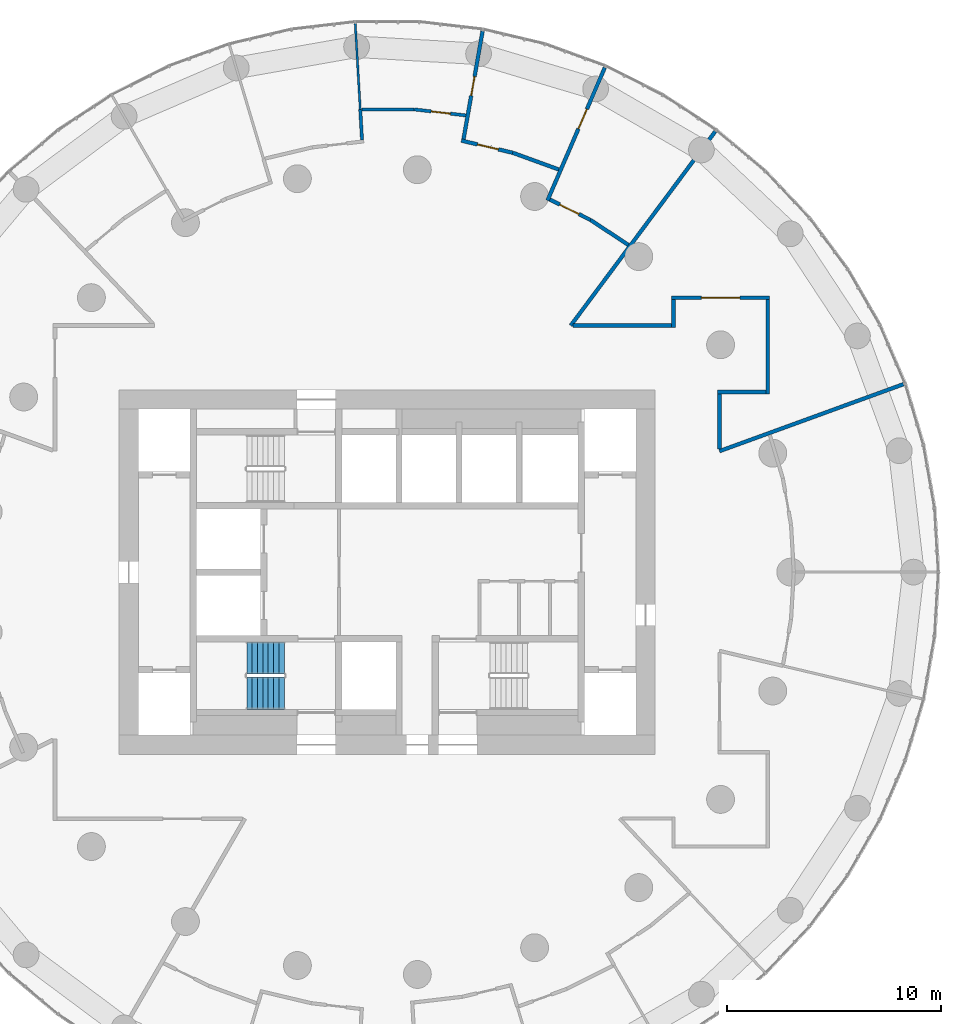
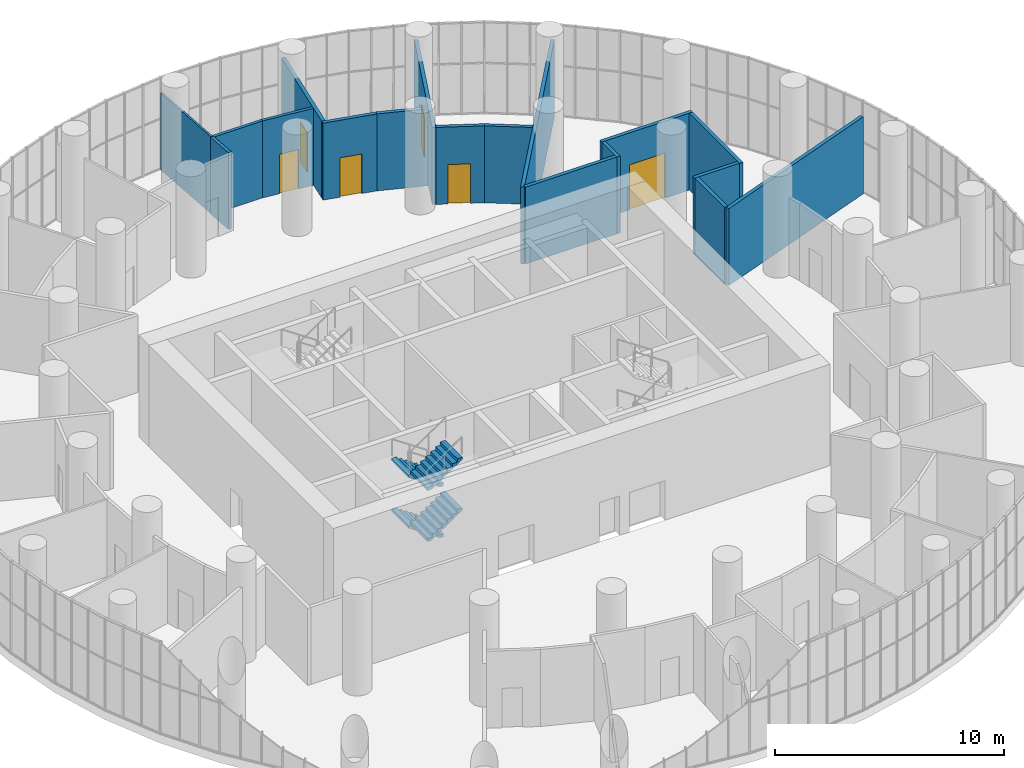
# One storey, part 19 of 21: 18 walls, 6 doors, 4 stair flights, 6 openings, 1 element without a shape of its own.
"""IFC4 building model written with IfcOpenShell, lengths in metres."""

from ifc_helpers import new_model, si_unit, direction, frame, frame_2d, origin, place, context, subcontext, project, spatial, polyline, rectangle, outline, extrude, material, layer, layer_set, type_object, element, fill, aggregate, save


model = new_model("IFC4")

# Units and contexts
model_context = context("Model", 3, precision=1e-05, world=origin(), true_north=direction((0.0, 1.0)))
body_context = subcontext(model_context, "Body", "Model", "MODEL_VIEW")
ifc_project = project(units=[si_unit("LENGTHUNIT", "METRE"), si_unit("AREAUNIT", "SQUARE_METRE"), si_unit("VOLUMEUNIT", "CUBIC_METRE"), si_unit("PLANEANGLEUNIT", "RADIAN"), si_unit("MASSUNIT", "GRAM", prefix="KILO")], contexts=[model_context])

# Site, building, storey
site_placement = place(None, origin())
site = spatial("IfcSite", under=ifc_project, at=site_placement, CompositionType="ELEMENT")
building_placement = place(site_placement, origin())
building = spatial("IfcBuilding", under=site, at=building_placement, Name="Tracery Tower", CompositionType="ELEMENT")
storey_placement = place(building_placement, frame((0.0, 0.0, 219.60009765625)))
storey = spatial("IfcBuildingStorey", under=building, at=storey_placement, Name="L57", CompositionType="ELEMENT", Elevation=219.60009765625)

# Wall, opening, door
ifc_material_1 = material(Name="Plasterboard on steel studs", Category="steel")
ifc_layer_1 = layer(ifc_material_1, 0.175048828125)
ifc_layer_set_1 = layer_set([ifc_layer_1], Name="Compartment partition 175")
wall_type_1 = type_object("IfcWallType", Name="Compartment partition 175", PredefinedType="PARTITIONING", material=ifc_layer_set_1)
wall_1_placement = place(storey_placement, frame((3.560791015625, 20.194580078125, 0.0), z_axis=(0.0, 0.0, 1.0), x_axis=(0.173668392781, 0.984804188328, 0.0)))
wall_1 = element("IfcWall", 1, at=wall_1_placement, inside=storey, type_object=wall_type_1, Name="Compartment partition 175", PredefinedType="PARTITIONING", context=body_context, shape_type="SweptSolid", body=[
    extrude(rectangle(XDim=5.121337890625, YDim=0.175048828125, at=frame_2d((2.560546875, 0.0))), origin(), (0.0, 0.0, 1.0), 4.099853515625),
])
opening_1_placement = place(wall_1_placement, frame((2.06787109375, 0.0, 0.0)))
opening_1 = element("IfcOpeningElement", 2, at=opening_1_placement, cuts=wall_1, Name="Opening SB-L57-09", PredefinedType="OPENING", context=body_context, shape_type="SweptSolid", body=[
    extrude(rectangle(XDim=0.89990234375, YDim=2.10009765625, at=frame_2d((0.449951171875, 1.050048828125))), frame((0.0, 0.08740234375, 0.0), z_axis=(0.0, -1.0, 0.0), x_axis=(1.0, 0.0, 0.0)), (0.0, 0.0, 1.0), 0.175048828125),
])
ifc_material_2 = material(Name="Steel fire door", Category="steel")
door_type_1 = type_object("IfcDoorType", Name="Store door 900", OperationType="NOTDEFINED", PredefinedType="DOOR", material=ifc_material_2)
door_1_placement = place(opening_1_placement, origin())
door_1 = element("IfcDoor", 3, at=door_1_placement, inside=storey, type_object=door_type_1, Name="Store door 900", OperationType="SINGLE_SWING_RIGHT", OverallHeight=2.10009765625, OverallWidth=0.89990234375, PredefinedType="DOOR", context=body_context, shape_type="SweptSolid", body=[
    extrude(rectangle(XDim=0.89990234375, YDim=2.10009765625, at=frame_2d((0.449951171875, 1.050048828125))), frame((0.0, 0.02490234375, 0.0), z_axis=(0.0, -1.0, 0.0), x_axis=(1.0, 0.0, 0.0)), (0.0, 0.0, 1.0), 0.050048828125),
])
fill(opening_1, door_1)

wall_2_placement = place(storey_placement, frame((3.460693359375, 20.128662109375, 0.0), z_axis=(0.0, 0.0, 1.0), x_axis=(0.973033447251, -0.230664064238, 0.0)))
wall_2 = element("IfcWall", 4, at=wall_2_placement, inside=storey, type_object=wall_type_1, Name="Compartment partition 175", PredefinedType="PARTITIONING", context=body_context, shape_type="SweptSolid", body=[
    extrude(rectangle(XDim=2.4619140625, YDim=0.175048828125, at=frame_2d((1.23095703125, 0.0))), origin(), (0.0, 0.0, 1.0), 4.099853515625),
])
opening_2_placement = place(wall_2_placement, frame((0.774658203125, 0.0, 0.0)))
opening_2 = element("IfcOpeningElement", 5, at=opening_2_placement, cuts=wall_2, Name="Opening SB-L57-03", PredefinedType="OPENING", context=body_context, shape_type="SweptSolid", body=[
    extrude(rectangle(XDim=1.0, YDim=2.10009765625, at=frame_2d((0.5, 1.050048828125))), frame((0.0, 0.08740234375, 0.0), z_axis=(0.0, -1.0, 0.0), x_axis=(1.0, 0.0, 0.0)), (0.0, 0.0, 1.0), 0.175048828125),
])
ifc_material_3 = material(Name="Steel fire door", Category="steel")
door_type_2 = type_object("IfcDoorType", Name="Kitchen door 1000", OperationType="NOTDEFINED", PredefinedType="DOOR", material=ifc_material_3)
door_2_placement = place(opening_2_placement, origin())
door_2 = element("IfcDoor", 6, at=door_2_placement, inside=storey, type_object=door_type_2, Name="Kitchen door 1000", OperationType="SINGLE_SWING_RIGHT", OverallHeight=2.10009765625, OverallWidth=1.0, PredefinedType="DOOR", context=body_context, shape_type="SweptSolid", body=[
    extrude(rectangle(XDim=1.0, YDim=2.10009765625, at=frame_2d((0.5, 1.050048828125))), frame((0.0, 0.02490234375, 0.0), z_axis=(0.0, -1.0, 0.0), x_axis=(1.0, 0.0, 0.0)), (0.0, 0.0, 1.0), 0.050048828125),
])
fill(opening_2, door_2)

# Wall
wall_3_placement = place(storey_placement, frame((8.002685546875, 18.779541015625, 0.0), z_axis=(0.0, 0.0, 1.0), x_axis=(-0.939693524196, 0.342017661218, 0.0)))
element("IfcWall", 7, at=wall_3_placement, inside=storey, type_object=wall_type_1, Name="Compartment partition 175", PredefinedType="PARTITIONING", context=body_context, shape_type="SweptSolid", body=[
    extrude(rectangle(XDim=2.2841796875, YDim=0.175048828125, at=frame_2d((1.14208984375, 0.0))), origin(), (0.0, 0.0, 1.0), 4.099853515625),
])

# Wall, opening, door
wall_4_placement = place(storey_placement, frame((7.59033203125, 17.375732421875, 0.0), z_axis=(0.0, 0.0, 1.0), x_axis=(0.893665134583, -0.448734472969, 0.0)))
wall_4 = element("IfcWall", 8, at=wall_4_placement, inside=storey, type_object=wall_type_1, Name="Compartment partition 175", PredefinedType="PARTITIONING", context=body_context, shape_type="SweptSolid", body=[
    extrude(rectangle(XDim=2.1181640625, YDim=0.175048828125, at=frame_2d((1.05908203125, 0.0))), origin(), (0.0, 0.0, 1.0), 4.099853515625),
])
opening_3_placement = place(wall_4_placement, frame((0.515380859375, 0.0, 0.0)))
opening_3 = element("IfcOpeningElement", 9, at=opening_3_placement, cuts=wall_4, Name="Opening SB-L57-02", PredefinedType="OPENING", context=body_context, shape_type="SweptSolid", body=[
    extrude(rectangle(XDim=1.0, YDim=2.10009765625, at=frame_2d((0.5, 1.050048828125))), frame((0.0, 0.08740234375, 0.0), z_axis=(0.0, -1.0, 0.0), x_axis=(1.0, 0.0, 0.0)), (0.0, 0.0, 1.0), 0.175048828125),
])
door_3_placement = place(opening_3_placement, origin())
door_3 = element("IfcDoor", 10, at=door_3_placement, inside=storey, type_object=door_type_2, Name="Kitchen door 1000", OperationType="SINGLE_SWING_RIGHT", OverallHeight=2.10009765625, OverallWidth=1.0, PredefinedType="DOOR", context=body_context, shape_type="SweptSolid", body=[
    extrude(rectangle(XDim=1.0, YDim=2.10009765625, at=frame_2d((0.5, 1.050048828125))), frame((0.0, 0.02490234375, 0.0), z_axis=(0.0, -1.0, 0.0), x_axis=(1.0, 0.0, 0.0)), (0.0, 0.0, 1.0), 0.050048828125),
])
fill(opening_3, door_3)

wall_5_placement = place(storey_placement, frame((10.150390625, 23.531494140625, 0.0), z_axis=(0.0, 0.0, 1.0), x_axis=(-0.396088121218, -0.918212502763, 0.0)))
wall_5 = element("IfcWall", 11, at=wall_5_placement, inside=storey, type_object=wall_type_1, Name="Compartment partition 175", PredefinedType="PARTITIONING", context=body_context, shape_type="SweptSolid", body=[
    extrude(rectangle(XDim=6.748779296875, YDim=0.175048828125, at=frame_2d((3.37451171875, 0.0))), origin(), (0.0, 0.0, 1.0), 4.099853515625),
])
opening_4_placement = place(wall_5_placement, frame((2.1044921875, 0.0, 0.0)))
opening_4 = element("IfcOpeningElement", 12, at=opening_4_placement, cuts=wall_5, Name="Opening SB-L57-08", PredefinedType="OPENING", context=body_context, shape_type="SweptSolid", body=[
    extrude(rectangle(XDim=1.0, YDim=2.10009765625, at=frame_2d((0.5, 1.050048828125))), frame((0.0, 0.08740234375, 0.0), z_axis=(0.0, -1.0, 0.0), x_axis=(1.0, 0.0, 0.0)), (0.0, 0.0, 1.0), 0.175048828125),
])
door_4_placement = place(opening_4_placement, origin())
door_4 = element("IfcDoor", 13, at=door_4_placement, inside=storey, type_object=door_type_2, Name="Kitchen door 1000", OperationType="SINGLE_SWING_LEFT", OverallHeight=2.10009765625, OverallWidth=1.0, PredefinedType="DOOR", context=body_context, shape_type="SweptSolid", body=[
    extrude(rectangle(XDim=1.0, YDim=2.10009765625, at=frame_2d((0.5, 1.050048828125))), frame((0.0, 0.02490234375, 0.0), z_axis=(0.0, -1.0, 0.0), x_axis=(1.0, 0.0, 0.0)), (0.0, 0.0, 1.0), 0.050048828125),
])
fill(opening_4, door_4)

# Walls
wall_6_placement = place(storey_placement, frame((11.25048828125, 15.2626953125, 0.0), z_axis=(0.0, 0.0, 1.0), x_axis=(-0.835443576746, 0.54957622772, 0.0)))
element("IfcWall", 14, at=wall_6_placement, inside=storey, type_object=wall_type_1, Name="Compartment partition 175", PredefinedType="PARTITIONING", context=body_context, shape_type="SweptSolid", body=[
    extrude(rectangle(XDim=2.115478515625, YDim=0.175048828125, at=frame_2d((1.0576171875, 0.0))), origin(), (0.0, 0.0, 1.0), 4.099853515625),
])
wall_7_placement = place(storey_placement, frame((13.26416015625, 11.5, 0.0), z_axis=(0.0, 0.0, 1.0), x_axis=(-1.0, 0.0, 0.0)))
element("IfcWall", 15, at=wall_7_placement, inside=storey, type_object=wall_type_1, Name="Compartment partition 175", PredefinedType="PARTITIONING", context=body_context, shape_type="SweptSolid", body=[
    extrude(rectangle(XDim=4.59375, YDim=0.175048828125, at=frame_2d((2.296875, 0.0))), origin(), (0.0, 0.0, 1.0), 4.099853515625),
])
wall_8_placement = place(storey_placement, frame((13.3515625, 12.71533203125, 0.0), z_axis=(0.0, 0.0, 1.0), x_axis=(0.0, -1.0, 0.0)))
element("IfcWall", 16, at=wall_8_placement, inside=storey, type_object=wall_type_1, Name="Compartment partition 175", PredefinedType="PARTITIONING", context=body_context, shape_type="SweptSolid", body=[
    extrude(rectangle(XDim=1.302734375, YDim=0.175048828125, at=frame_2d((0.6513671875, 0.0))), origin(), (0.0, 0.0, 1.0), 4.099853515625),
])
wall_9_placement = place(storey_placement, frame((15.3037109375, 20.556396484375, 0.0), z_axis=(0.0, 0.0, 1.0), x_axis=(-0.597169661875, -0.802114951199, 0.0)))
element("IfcWall", 17, at=wall_9_placement, inside=storey, type_object=wall_type_1, Name="Compartment partition 175", PredefinedType="PARTITIONING", context=body_context, shape_type="SweptSolid", body=[
    extrude(rectangle(XDim=11.29052734375, YDim=0.175048828125, at=frame_2d((5.645263671875, 0.0))), origin(), (0.0, 0.0, 1.0), 4.099853515625),
])
wall_10_placement = place(storey_placement, frame((15.5, 5.734619140625, 0.0), z_axis=(0.0, 0.0, 1.0), x_axis=(0.0, 1.0, 0.0)))
element("IfcWall", 18, at=wall_10_placement, inside=storey, type_object=wall_type_1, Name="Compartment partition 175", PredefinedType="PARTITIONING", context=body_context, shape_type="SweptSolid", body=[
    extrude(rectangle(XDim=2.580810546875, YDim=0.175048828125, at=frame_2d((1.29052734375, 0.0))), origin(), (0.0, 0.0, 1.0), 4.099853515625),
])
wall_11_placement = place(storey_placement, frame((15.41259765625, 8.40283203125, 0.0), z_axis=(0.0, 0.0, 1.0), x_axis=(1.0, 0.0, 0.0)))
element("IfcWall", 19, at=wall_11_placement, inside=storey, type_object=wall_type_1, Name="Compartment partition 175", PredefinedType="PARTITIONING", context=body_context, shape_type="SweptSolid", body=[
    extrude(rectangle(XDim=2.25146484375, YDim=0.175048828125, at=frame_2d((1.125732421875, 0.0))), origin(), (0.0, 0.0, 1.0), 4.099853515625),
])
wall_12_placement = place(storey_placement, frame((17.751708984375, 8.3154296875, 0.0), z_axis=(0.0, 0.0, 1.0), x_axis=(0.0, 1.0, 0.0)))
element("IfcWall", 20, at=wall_12_placement, inside=storey, type_object=wall_type_1, Name="Compartment partition 175", PredefinedType="PARTITIONING", context=body_context, shape_type="SweptSolid", body=[
    extrude(rectangle(XDim=4.39990234375, YDim=0.175048828125, at=frame_2d((2.199951171875, 0.0))), origin(), (0.0, 0.0, 1.0), 4.099853515625),
])

# Wall, opening, door
wall_13_placement = place(storey_placement, frame((13.26416015625, 12.802978515625, 0.0), z_axis=(0.0, 0.0, 1.0), x_axis=(1.0, 0.0, 0.0)))
wall_13 = element("IfcWall", 21, at=wall_13_placement, inside=storey, type_object=wall_type_1, Name="Compartment partition 175", PredefinedType="PARTITIONING", context=body_context, shape_type="SweptSolid", body=[
    extrude(rectangle(XDim=4.574951171875, YDim=0.175048828125, at=frame_2d((2.28759765625, 0.0))), origin(), (0.0, 0.0, 1.0), 4.099853515625),
])
opening_5_placement = place(wall_13_placement, frame((1.387451171875, 0.0, 0.0)))
opening_5 = element("IfcOpeningElement", 22, at=opening_5_placement, cuts=wall_13, Name="Opening SB-L57-01", PredefinedType="OPENING", context=body_context, shape_type="SweptSolid", body=[
    extrude(rectangle(XDim=1.800048828125, YDim=2.39990234375, at=frame_2d((0.89990234375, 1.199951171875))), frame((0.0, 0.08740234375, 0.0), z_axis=(0.0, -1.0, 0.0), x_axis=(1.0, 0.0, 0.0)), (0.0, 0.0, 1.0), 0.175048828125),
])
ifc_material_4 = material(Name="Glazed aluminium door", Category="aluminium")
door_type_3 = type_object("IfcDoorType", Name="Hall double door 1800", OperationType="DOUBLE_DOOR_SINGLE_SWING", PredefinedType="DOOR", material=ifc_material_4)
door_5_placement = place(opening_5_placement, origin())
door_5 = element("IfcDoor", 23, at=door_5_placement, inside=storey, type_object=door_type_3, Name="Hall double door 1800", OperationType="DOUBLE_DOOR_SINGLE_SWING", OverallHeight=2.39990234375, OverallWidth=1.800048828125, PredefinedType="DOOR", context=body_context, shape_type="SweptSolid", body=[
    extrude(rectangle(XDim=1.800048828125, YDim=2.39990234375, at=frame_2d((0.89990234375, 1.199951171875))), frame((0.0, 0.02490234375, 0.0), z_axis=(0.0, -1.0, 0.0), x_axis=(1.0, 0.0, 0.0)), (0.0, 0.0, 1.0), 0.050048828125),
])
fill(opening_5, door_5)

# Walls
wall_14_placement = place(storey_placement, frame((24.081787109375, 8.76513671875, 0.0), z_axis=(0.0, 0.0, 1.0), x_axis=(-0.939691913717, -0.342022085975, 0.0)))
element("IfcWall", 24, at=wall_14_placement, inside=storey, type_object=wall_type_1, Name="Compartment partition 175", PredefinedType="PARTITIONING", context=body_context, shape_type="SweptSolid", body=[
    extrude(rectangle(XDim=9.132568359375, YDim=0.175048828125, at=frame_2d((4.56640625, 0.0))), origin(), (0.0, 0.0, 1.0), 4.099853515625),
])
ifc_material_5 = material(Name="Plasterboard on steel studs", Category="steel")
ifc_layer_2 = layer(ifc_material_5, 0.14990234375)
ifc_layer_set_2 = layer_set([ifc_layer_2], Name="Corridor partition 150")
wall_type_2 = type_object("IfcWallType", Name="Corridor partition 150", PredefinedType="PARTITIONING", material=ifc_layer_set_2)
wall_15_placement = place(storey_placement, frame((-1.257080078125, 21.583984375, 0.0), z_axis=(0.0, 0.0, 1.0), x_axis=(0.057980077773, -0.998317740292, 0.0)))
element("IfcWall", 25, at=wall_15_placement, inside=storey, type_object=wall_type_2, Name="Corridor partition 150", PredefinedType="PARTITIONING", context=body_context, shape_type="SweptSolid", body=[
    extrude(rectangle(XDim=1.427490234375, YDim=0.14990234375, at=frame_2d((0.7138671875, 0.0))), origin(), (0.0, 0.0, 1.0), 4.099853515625),
])
wall_16_placement = place(storey_placement, frame((1.257080078125, 21.583984375, 0.0), z_axis=(0.0, 0.0, 1.0), x_axis=(-1.0, 0.0, 0.0)))
element("IfcWall", 26, at=wall_16_placement, inside=storey, type_object=wall_type_2, Name="Corridor partition 150", PredefinedType="PARTITIONING", context=body_context, shape_type="SweptSolid", body=[
    extrude(rectangle(XDim=2.43896484375, YDim=0.14990234375, at=frame_2d((1.219482421875, 0.0))), origin(), (0.0, 0.0, 1.0), 4.099853515625),
])

# Wall, opening, door
wall_17_placement = place(storey_placement, frame((1.257080078125, 21.583984375, 0.0), z_axis=(0.0, 0.0, 1.0), x_axis=(0.993237617508, -0.116099247059, 0.0)))
wall_17 = element("IfcWall", 27, at=wall_17_placement, inside=storey, type_object=wall_type_2, Name="Corridor partition 150", PredefinedType="PARTITIONING", context=body_context, shape_type="SweptSolid", body=[
    extrude(rectangle(XDim=2.424560546875, YDim=0.14990234375, at=frame_2d((1.21240234375, 0.0))), origin(), (0.0, 0.0, 1.0), 4.099853515625),
])
opening_6_placement = place(wall_17_placement, frame((0.80712890625, 0.0, 0.0)))
opening_6 = element("IfcOpeningElement", 28, at=opening_6_placement, cuts=wall_17, Name="Opening SB-L57-04", PredefinedType="OPENING", context=body_context, shape_type="SweptSolid", body=[
    extrude(rectangle(XDim=0.89990234375, YDim=2.10009765625, at=frame_2d((0.449951171875, 1.050048828125))), frame((0.0, 0.074951171875, 0.0), z_axis=(0.0, -1.0, 0.0), x_axis=(1.0, 0.0, 0.0)), (0.0, 0.0, 1.0), 0.14990234375),
])
door_6_placement = place(opening_6_placement, origin())
door_6 = element("IfcDoor", 29, at=door_6_placement, inside=storey, type_object=door_type_1, Name="Store door 900", OperationType="SINGLE_SWING_RIGHT", OverallHeight=2.10009765625, OverallWidth=0.89990234375, PredefinedType="DOOR", context=body_context, shape_type="SweptSolid", body=[
    extrude(rectangle(XDim=0.89990234375, YDim=2.10009765625, at=frame_2d((0.449951171875, 1.050048828125))), frame((0.0, 0.02490234375, 0.0), z_axis=(0.0, -1.0, 0.0), x_axis=(1.0, 0.0, 0.0)), (0.0, 0.0, 1.0), 0.050048828125),
])
fill(opening_6, door_6)

# Wall
ifc_material_6 = material(Name="Plasterboard on steel studs", Category="steel")
ifc_layer_3 = layer(ifc_material_6, 0.10009765625)
ifc_layer_set_3 = layer_set([ifc_layer_3], Name="Stud partition 100")
wall_type_3 = type_object("IfcWallType", Name="Stud partition 100", PredefinedType="PARTITIONING", material=ifc_layer_set_3)
wall_18_placement = place(storey_placement, frame((-1.489990234375, 25.583984375, 0.0), z_axis=(0.0, 0.0, 1.0), x_axis=(0.058129080683, -0.998309075376, 0.0)))
element("IfcWall", 30, at=wall_18_placement, inside=storey, type_object=wall_type_3, Name="Stud partition 100", PredefinedType="PARTITIONING", context=body_context, shape_type="SweptSolid", body=[
    extrude(rectangle(XDim=4.0068359375, YDim=0.10009765625, at=frame_2d((2.00341796875, 0.0))), origin(), (0.0, 0.0, 1.0), 4.099853515625),
])

# Stair, stair flights
ifc_material_7 = material(Name="Concrete C32/40", Category="concrete")
stair_type = type_object("IfcStairType", Name="Core stair 32 risers", PredefinedType="HALF_TURN_STAIR", material=ifc_material_7)
stair_placement = place(storey_placement, origin())
stair = element("IfcStair", 31, at=stair_placement, inside=storey, type_object=stair_type, Name="L57 stair ST1", PredefinedType="HALF_TURN_STAIR")
ifc_material_8 = material(Name="Concrete C32/40", Category="concrete")
stair_flight_type = type_object("IfcStairFlightType", Name="Core stair flight 8 risers", PredefinedType="STRAIGHT", material=ifc_material_8)
stair_flight_1_placement = place(storey_placement, frame((-4.800048828125, -4.0, 0.0), z_axis=(0.0, 0.0, 1.0), x_axis=(-1.0, 0.0, 0.0)))
stair_flight_1 = element("IfcStairFlight", 32, at=stair_flight_1_placement, type_object=stair_flight_type, Name="ST1 flight 1", NumberOfRisers=8, NumberOfTreads=7, PredefinedType="STRAIGHT", RiserHeight=0.16875, TreadLength=0.25, context=body_context, shape_type="SweptSolid", body=[
    extrude(outline(polyline([(0.0, 0.0), (0.0, 0.002685546875), (0.0, 0.005615234375), (0.0, 0.00830078125), (0.0, 0.010986328125), (0.0, 0.013916015625), (0.0, 0.0166015625), (0.0, 0.019287109375), (0.0, 0.022216796875), (0.0, 0.02490234375), (0.0, 0.027587890625), (0.0, 0.030517578125), (0.0, 0.033203125), (0.0, 0.035888671875), (0.0, 0.038818359375), (0.0, 0.04150390625), (0.0, 0.044189453125), (0.0, 0.047119140625), (0.0, 0.0498046875), (0.0, 0.052490234375), (0.0, 0.055419921875), (0.0, 0.05810546875), (0.0, 0.060791015625), (0.0, 0.063720703125), (0.0, 0.06640625), (0.0, 0.069091796875), (0.0, 0.072021484375), (0.0, 0.07470703125), (0.0, 0.077392578125), (0.0, 0.080322265625), (0.0, 0.0830078125), (0.0, 0.085693359375), (0.0, 0.088623046875), (0.0, 0.09130859375), (0.0, 0.093994140625), (0.0, 0.096923828125), (0.0, 0.099609375), (0.0, 0.102294921875), (0.0, 0.105224609375), (0.0, 0.10791015625), (0.0, 0.110595703125), (0.0, 0.113525390625), (0.0, 0.1162109375), (0.0, 0.118896484375), (0.0, 0.121826171875), (0.0, 0.12451171875), (0.0, 0.127197265625), (0.0, 0.130126953125), (0.0, 0.1328125), (0.0, 0.135498046875), (0.0, 0.138427734375), (0.0, 0.14111328125), (0.0, 0.143798828125), (0.0, 0.146728515625), (0.0, 0.1494140625), (0.0, 0.152099609375), (0.0, 0.155029296875), (0.0, 0.15771484375), (0.0, 0.160400390625), (0.0, 0.163330078125), (0.0, 0.166015625), (0.0, 0.168701171875), (0.25, 0.168701171875), (0.25, 0.33740234375), (0.5, 0.33740234375), (0.5, 0.50634765625), (0.75, 0.50634765625), (0.75, 0.675048828125), (1.0, 0.675048828125), (1.0, 0.84375), (1.25, 0.84375), (1.25, 1.012451171875), (1.5, 1.012451171875), (1.5, 1.18115234375), (1.75, 1.18115234375), (1.75, 1.17919921875), (1.75, 1.17724609375), (1.75, 1.17529296875), (1.75, 1.17333984375), (1.75, 1.17138671875), (1.75, 1.16943359375), (1.75, 1.16748046875), (1.75, 1.16552734375), (1.75, 1.163330078125), (1.75, 1.161376953125), (1.75, 1.159423828125), (1.75, 1.157470703125), (1.75, 1.155517578125), (1.75, 1.153564453125), (1.75, 1.151611328125), (1.75, 1.149658203125), (1.75, 1.147705078125), (1.75, 1.1455078125), (1.75, 1.1435546875), (1.75, 1.1416015625), (1.75, 1.1396484375), (1.75, 1.1376953125), (1.75, 1.1357421875), (1.75, 1.1337890625), (1.75, 1.1318359375), (1.75, 1.1298828125), (1.75, 1.127685546875), (1.75, 1.125732421875), (1.75, 1.123779296875), (1.75, 1.121826171875), (1.75, 1.119873046875), (1.75, 1.117919921875), (1.75, 1.115966796875), (1.75, 1.114013671875), (1.75, 1.112060546875), (1.75, 1.10986328125), (1.75, 1.10791015625), (1.75, 1.10595703125), (1.75, 1.10400390625), (1.75, 1.10205078125), (1.75, 1.10009765625), (1.75, 1.09814453125), (1.75, 1.09619140625), (1.75, 1.09423828125), (1.75, 1.092041015625), (1.75, 1.090087890625), (1.75, 1.088134765625), (1.75, 1.086181640625), (1.75, 1.084228515625), (1.75, 1.082275390625), (1.75, 1.080322265625), (1.75, 1.078369140625), (1.75, 1.076416015625), (1.75, 1.074462890625), (1.75, 1.072265625), (1.75, 1.0703125), (1.75, 1.068359375), (1.75, 1.06640625), (1.75, 1.064453125), (1.75, 1.0625), (1.75, 1.060546875), (0.178955078125, 0.0), (0.0, 0.0)])), frame((0.0, 0.75, 0.0), z_axis=(0.0, -1.0, 0.0), x_axis=(1.0, 0.0, 0.0)), (0.0, 0.0, 1.0), 1.5),
])
stair_flight_2_placement = place(storey_placement, frame((-6.550048828125, -5.64990234375, 1.349853515625), z_axis=(0.0, 0.0, 1.0), x_axis=(1.0, 0.0, 0.0)))
stair_flight_2 = element("IfcStairFlight", 33, at=stair_flight_2_placement, type_object=stair_flight_type, Name="ST1 flight 2", NumberOfRisers=8, NumberOfTreads=7, PredefinedType="STRAIGHT", RiserHeight=0.16875, TreadLength=0.25, context=body_context, shape_type="SweptSolid", body=[
    extrude(outline(polyline([(0.0, 0.0), (0.0, 0.002685546875), (0.0, 0.005615234375), (0.0, 0.00830078125), (0.0, 0.010986328125), (0.0, 0.013916015625), (0.0, 0.0166015625), (0.0, 0.019287109375), (0.0, 0.022216796875), (0.0, 0.02490234375), (0.0, 0.027587890625), (0.0, 0.030517578125), (0.0, 0.033203125), (0.0, 0.035888671875), (0.0, 0.038818359375), (0.0, 0.04150390625), (0.0, 0.044189453125), (0.0, 0.047119140625), (0.0, 0.0498046875), (0.0, 0.052490234375), (0.0, 0.055419921875), (0.0, 0.05810546875), (0.0, 0.060791015625), (0.0, 0.063720703125), (0.0, 0.06640625), (0.0, 0.069091796875), (0.0, 0.072021484375), (0.0, 0.07470703125), (0.0, 0.077392578125), (0.0, 0.080322265625), (0.0, 0.0830078125), (0.0, 0.085693359375), (0.0, 0.088623046875), (0.0, 0.09130859375), (0.0, 0.093994140625), (0.0, 0.096923828125), (0.0, 0.099609375), (0.0, 0.102294921875), (0.0, 0.105224609375), (0.0, 0.10791015625), (0.0, 0.110595703125), (0.0, 0.113525390625), (0.0, 0.1162109375), (0.0, 0.118896484375), (0.0, 0.121826171875), (0.0, 0.12451171875), (0.0, 0.127197265625), (0.0, 0.130126953125), (0.0, 0.1328125), (0.0, 0.135498046875), (0.0, 0.138427734375), (0.0, 0.14111328125), (0.0, 0.143798828125), (0.0, 0.146728515625), (0.0, 0.1494140625), (0.0, 0.152099609375), (0.0, 0.155029296875), (0.0, 0.15771484375), (0.0, 0.160400390625), (0.0, 0.163330078125), (0.0, 0.166015625), (0.0, 0.168701171875), (0.25, 0.168701171875), (0.25, 0.33740234375), (0.5, 0.33740234375), (0.5, 0.50634765625), (0.75, 0.50634765625), (0.75, 0.675048828125), (1.0, 0.675048828125), (1.0, 0.84375), (1.25, 0.84375), (1.25, 1.012451171875), (1.5, 1.012451171875), (1.5, 1.18115234375), (1.75, 1.18115234375), (1.75, 1.17919921875), (1.75, 1.17724609375), (1.75, 1.17529296875), (1.75, 1.17333984375), (1.75, 1.17138671875), (1.75, 1.16943359375), (1.75, 1.16748046875), (1.75, 1.16552734375), (1.75, 1.163330078125), (1.75, 1.161376953125), (1.75, 1.159423828125), (1.75, 1.157470703125), (1.75, 1.155517578125), (1.75, 1.153564453125), (1.75, 1.151611328125), (1.75, 1.149658203125), (1.75, 1.147705078125), (1.75, 1.1455078125), (1.75, 1.1435546875), (1.75, 1.1416015625), (1.75, 1.1396484375), (1.75, 1.1376953125), (1.75, 1.1357421875), (1.75, 1.1337890625), (1.75, 1.1318359375), (1.75, 1.1298828125), (1.75, 1.127685546875), (1.75, 1.125732421875), (1.75, 1.123779296875), (1.75, 1.121826171875), (1.75, 1.119873046875), (1.75, 1.117919921875), (1.75, 1.115966796875), (1.75, 1.114013671875), (1.75, 1.112060546875), (1.75, 1.10986328125), (1.75, 1.10791015625), (1.75, 1.10595703125), (1.75, 1.10400390625), (1.75, 1.10205078125), (1.75, 1.10009765625), (1.75, 1.09814453125), (1.75, 1.09619140625), (1.75, 1.09423828125), (1.75, 1.092041015625), (1.75, 1.090087890625), (1.75, 1.088134765625), (1.75, 1.086181640625), (1.75, 1.084228515625), (1.75, 1.082275390625), (1.75, 1.080322265625), (1.75, 1.078369140625), (1.75, 1.076416015625), (1.75, 1.074462890625), (1.75, 1.072265625), (1.75, 1.0703125), (1.75, 1.068359375), (1.75, 1.06640625), (1.75, 1.064453125), (1.75, 1.0625), (1.75, 1.060546875), (0.178955078125, 0.0), (0.0, 0.0)])), frame((0.0, 0.75, 0.0), z_axis=(0.0, -1.0, 0.0), x_axis=(1.0, 0.0, 0.0)), (0.0, 0.0, 1.0), 1.5),
])
stair_flight_3_placement = place(storey_placement, frame((-4.800048828125, -4.0, 2.699951171875), z_axis=(0.0, 0.0, 1.0), x_axis=(-1.0, 0.0, 0.0)))
stair_flight_3 = element("IfcStairFlight", 34, at=stair_flight_3_placement, type_object=stair_flight_type, Name="ST1 flight 3", NumberOfRisers=8, NumberOfTreads=7, PredefinedType="STRAIGHT", RiserHeight=0.16875, TreadLength=0.25, context=body_context, shape_type="SweptSolid", body=[
    extrude(outline(polyline([(0.0, 0.0), (0.0, 0.002685546875), (0.0, 0.005615234375), (0.0, 0.00830078125), (0.0, 0.010986328125), (0.0, 0.013916015625), (0.0, 0.0166015625), (0.0, 0.019287109375), (0.0, 0.022216796875), (0.0, 0.02490234375), (0.0, 0.027587890625), (0.0, 0.030517578125), (0.0, 0.033203125), (0.0, 0.035888671875), (0.0, 0.038818359375), (0.0, 0.04150390625), (0.0, 0.044189453125), (0.0, 0.047119140625), (0.0, 0.0498046875), (0.0, 0.052490234375), (0.0, 0.055419921875), (0.0, 0.05810546875), (0.0, 0.060791015625), (0.0, 0.063720703125), (0.0, 0.06640625), (0.0, 0.069091796875), (0.0, 0.072021484375), (0.0, 0.07470703125), (0.0, 0.077392578125), (0.0, 0.080322265625), (0.0, 0.0830078125), (0.0, 0.085693359375), (0.0, 0.088623046875), (0.0, 0.09130859375), (0.0, 0.093994140625), (0.0, 0.096923828125), (0.0, 0.099609375), (0.0, 0.102294921875), (0.0, 0.105224609375), (0.0, 0.10791015625), (0.0, 0.110595703125), (0.0, 0.113525390625), (0.0, 0.1162109375), (0.0, 0.118896484375), (0.0, 0.121826171875), (0.0, 0.12451171875), (0.0, 0.127197265625), (0.0, 0.130126953125), (0.0, 0.1328125), (0.0, 0.135498046875), (0.0, 0.138427734375), (0.0, 0.14111328125), (0.0, 0.143798828125), (0.0, 0.146728515625), (0.0, 0.1494140625), (0.0, 0.152099609375), (0.0, 0.155029296875), (0.0, 0.15771484375), (0.0, 0.160400390625), (0.0, 0.163330078125), (0.0, 0.166015625), (0.0, 0.168701171875), (0.25, 0.168701171875), (0.25, 0.33740234375), (0.5, 0.33740234375), (0.5, 0.50634765625), (0.75, 0.50634765625), (0.75, 0.675048828125), (1.0, 0.675048828125), (1.0, 0.84375), (1.25, 0.84375), (1.25, 1.012451171875), (1.5, 1.012451171875), (1.5, 1.18115234375), (1.75, 1.18115234375), (1.75, 1.17919921875), (1.75, 1.17724609375), (1.75, 1.17529296875), (1.75, 1.17333984375), (1.75, 1.17138671875), (1.75, 1.16943359375), (1.75, 1.16748046875), (1.75, 1.16552734375), (1.75, 1.163330078125), (1.75, 1.161376953125), (1.75, 1.159423828125), (1.75, 1.157470703125), (1.75, 1.155517578125), (1.75, 1.153564453125), (1.75, 1.151611328125), (1.75, 1.149658203125), (1.75, 1.147705078125), (1.75, 1.1455078125), (1.75, 1.1435546875), (1.75, 1.1416015625), (1.75, 1.1396484375), (1.75, 1.1376953125), (1.75, 1.1357421875), (1.75, 1.1337890625), (1.75, 1.1318359375), (1.75, 1.1298828125), (1.75, 1.127685546875), (1.75, 1.125732421875), (1.75, 1.123779296875), (1.75, 1.121826171875), (1.75, 1.119873046875), (1.75, 1.117919921875), (1.75, 1.115966796875), (1.75, 1.114013671875), (1.75, 1.112060546875), (1.75, 1.10986328125), (1.75, 1.10791015625), (1.75, 1.10595703125), (1.75, 1.10400390625), (1.75, 1.10205078125), (1.75, 1.10009765625), (1.75, 1.09814453125), (1.75, 1.09619140625), (1.75, 1.09423828125), (1.75, 1.092041015625), (1.75, 1.090087890625), (1.75, 1.088134765625), (1.75, 1.086181640625), (1.75, 1.084228515625), (1.75, 1.082275390625), (1.75, 1.080322265625), (1.75, 1.078369140625), (1.75, 1.076416015625), (1.75, 1.074462890625), (1.75, 1.072265625), (1.75, 1.0703125), (1.75, 1.068359375), (1.75, 1.06640625), (1.75, 1.064453125), (1.75, 1.0625), (1.75, 1.060546875), (0.178955078125, 0.0), (0.0, 0.0)])), frame((0.0, 0.75, 0.0), z_axis=(0.0, -1.0, 0.0), x_axis=(1.0, 0.0, 0.0)), (0.0, 0.0, 1.0), 1.5),
])
stair_flight_4_placement = place(storey_placement, frame((-6.550048828125, -5.64990234375, 4.0498046875), z_axis=(0.0, 0.0, 1.0), x_axis=(1.0, 0.0, 0.0)))
stair_flight_4 = element("IfcStairFlight", 35, at=stair_flight_4_placement, type_object=stair_flight_type, Name="ST1 flight 4", NumberOfRisers=8, NumberOfTreads=7, PredefinedType="STRAIGHT", RiserHeight=0.16875, TreadLength=0.25, context=body_context, shape_type="SweptSolid", body=[
    extrude(outline(polyline([(0.0, 0.0), (0.0, 0.002685546875), (0.0, 0.005615234375), (0.0, 0.00830078125), (0.0, 0.010986328125), (0.0, 0.013916015625), (0.0, 0.0166015625), (0.0, 0.019287109375), (0.0, 0.022216796875), (0.0, 0.02490234375), (0.0, 0.027587890625), (0.0, 0.030517578125), (0.0, 0.033203125), (0.0, 0.035888671875), (0.0, 0.038818359375), (0.0, 0.04150390625), (0.0, 0.044189453125), (0.0, 0.047119140625), (0.0, 0.0498046875), (0.0, 0.052490234375), (0.0, 0.055419921875), (0.0, 0.05810546875), (0.0, 0.060791015625), (0.0, 0.063720703125), (0.0, 0.06640625), (0.0, 0.069091796875), (0.0, 0.072021484375), (0.0, 0.07470703125), (0.0, 0.077392578125), (0.0, 0.080322265625), (0.0, 0.0830078125), (0.0, 0.085693359375), (0.0, 0.088623046875), (0.0, 0.09130859375), (0.0, 0.093994140625), (0.0, 0.096923828125), (0.0, 0.099609375), (0.0, 0.102294921875), (0.0, 0.105224609375), (0.0, 0.10791015625), (0.0, 0.110595703125), (0.0, 0.113525390625), (0.0, 0.1162109375), (0.0, 0.118896484375), (0.0, 0.121826171875), (0.0, 0.12451171875), (0.0, 0.127197265625), (0.0, 0.130126953125), (0.0, 0.1328125), (0.0, 0.135498046875), (0.0, 0.138427734375), (0.0, 0.14111328125), (0.0, 0.143798828125), (0.0, 0.146728515625), (0.0, 0.1494140625), (0.0, 0.152099609375), (0.0, 0.155029296875), (0.0, 0.15771484375), (0.0, 0.160400390625), (0.0, 0.163330078125), (0.0, 0.166015625), (0.0, 0.168701171875), (0.25, 0.168701171875), (0.25, 0.33740234375), (0.5, 0.33740234375), (0.5, 0.50634765625), (0.75, 0.50634765625), (0.75, 0.675048828125), (1.0, 0.675048828125), (1.0, 0.84375), (1.25, 0.84375), (1.25, 1.012451171875), (1.5, 1.012451171875), (1.5, 1.18115234375), (1.75, 1.18115234375), (1.75, 1.17919921875), (1.75, 1.17724609375), (1.75, 1.17529296875), (1.75, 1.17333984375), (1.75, 1.17138671875), (1.75, 1.16943359375), (1.75, 1.16748046875), (1.75, 1.16552734375), (1.75, 1.163330078125), (1.75, 1.161376953125), (1.75, 1.159423828125), (1.75, 1.157470703125), (1.75, 1.155517578125), (1.75, 1.153564453125), (1.75, 1.151611328125), (1.75, 1.149658203125), (1.75, 1.147705078125), (1.75, 1.1455078125), (1.75, 1.1435546875), (1.75, 1.1416015625), (1.75, 1.1396484375), (1.75, 1.1376953125), (1.75, 1.1357421875), (1.75, 1.1337890625), (1.75, 1.1318359375), (1.75, 1.1298828125), (1.75, 1.127685546875), (1.75, 1.125732421875), (1.75, 1.123779296875), (1.75, 1.121826171875), (1.75, 1.119873046875), (1.75, 1.117919921875), (1.75, 1.115966796875), (1.75, 1.114013671875), (1.75, 1.112060546875), (1.75, 1.10986328125), (1.75, 1.10791015625), (1.75, 1.10595703125), (1.75, 1.10400390625), (1.75, 1.10205078125), (1.75, 1.10009765625), (1.75, 1.09814453125), (1.75, 1.09619140625), (1.75, 1.09423828125), (1.75, 1.092041015625), (1.75, 1.090087890625), (1.75, 1.088134765625), (1.75, 1.086181640625), (1.75, 1.084228515625), (1.75, 1.082275390625), (1.75, 1.080322265625), (1.75, 1.078369140625), (1.75, 1.076416015625), (1.75, 1.074462890625), (1.75, 1.072265625), (1.75, 1.0703125), (1.75, 1.068359375), (1.75, 1.06640625), (1.75, 1.064453125), (1.75, 1.0625), (1.75, 1.060546875), (0.178955078125, 0.0), (0.0, 0.0)])), frame((0.0, 0.75, 0.0), z_axis=(0.0, -1.0, 0.0), x_axis=(1.0, 0.0, 0.0)), (0.0, 0.0, 1.0), 1.5),
])
aggregate(stair, [stair_flight_1, stair_flight_2, stair_flight_3, stair_flight_4])

save(model, "model.ifc")
